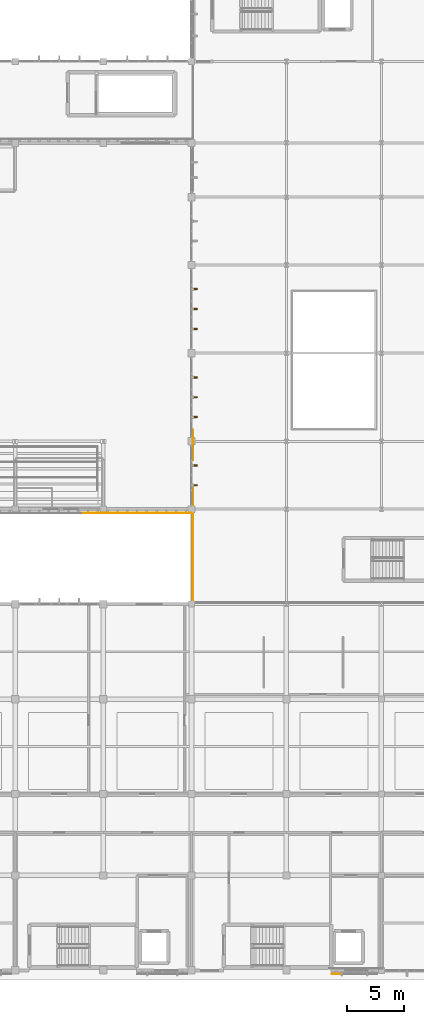
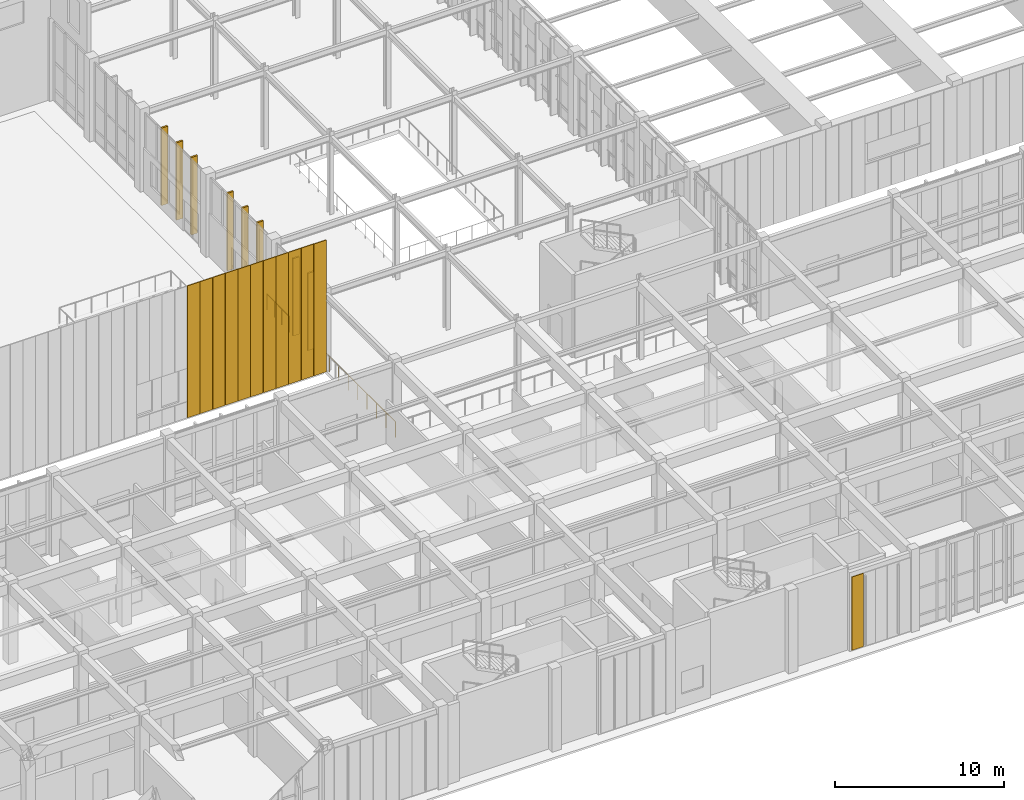
# One storey, part 94 of 105: 20 coverings, 2 railings.
"""IFC4 building model written with IfcOpenShell, lengths in metres."""

import ifcopenshell
import ifcopenshell.guid

model = None  # the IFC model being written
_history = None  # IfcOwnerHistory: only IFC2X3 demands one
_inside = {}  # id of a spatial element -> (the spatial element, [elements in it])
_under = {}  # id of a project, library or spatial element -> (it, [spatial elements below it])
_declared = {}  # id of a project -> (the project, [libraries it declares])
_typed = {}  # id of a type object -> (the type object, [elements of that type])
_made_of = {}  # id of a material, layer set ... -> (it, [elements and type objects made of it])


def new_model(schema):
    """Start an empty IFC model of exactly this schema.

    Asked for "IFC4X3", IfcOpenShell would pick the latest addendum, in which some entities
    have other attributes; the version numbers below select the first issue.
    IFC2X3 requires an IfcOwnerHistory on every rooted entity: one is made here for all.
    """
    global model, _history
    if schema == "IFC4X3":
        model = ifcopenshell.file(schema_version=(4, 3, 0, 0))
    else:
        model = ifcopenshell.file(schema=schema)
    _inside.clear()
    _under.clear()
    _declared.clear()
    _typed.clear()
    _made_of.clear()
    _history = None
    if model.schema == "IFC2X3":
        org = make("IfcOrganization", Name="unknown")
        user = make(
            "IfcPersonAndOrganization",
            ThePerson=make("IfcPerson", FamilyName="unknown"),
            TheOrganization=org,
        )
        app = make(
            "IfcApplication",
            ApplicationDeveloper=org,
            Version="unknown",
            ApplicationFullName="unknown",
            ApplicationIdentifier="unknown",
        )
        _history = make(
            "IfcOwnerHistory",
            OwningUser=user,
            OwningApplication=app,
            ChangeAction="ADDED",
            CreationDate=0,
        )
    return model


def make(cls, **values):
    """One entity of the class cls with the attributes given. An attribute that is None is left unset."""
    return model.create_entity(
        cls, **{name: value for name, value in values.items() if value is not None}
    )


def rooted(cls, **values):
    """An entity with a GlobalId (a new one), such as an element, a storey or a relation."""
    return make(cls, GlobalId=ifcopenshell.guid.new(), OwnerHistory=_history, **values)


def si_unit(unit_type, name, prefix=None):
    """IfcSIUnit, for example si_unit("LENGTHUNIT", "METRE", prefix="MILLI")."""
    return make("IfcSIUnit", UnitType=unit_type, Prefix=prefix, Name=name)


def assignment(units):
    """IfcUnitAssignment: the units of a project."""
    return None if units is None else make("IfcUnitAssignment", Units=units)


def point(xyz):
    """IfcCartesianPoint."""
    return None if xyz is None else make("IfcCartesianPoint", Coordinates=xyz)


def direction(xyz):
    """IfcDirection."""
    return None if xyz is None else make("IfcDirection", DirectionRatios=xyz)


def frame(location, z_axis=None, x_axis=None):
    """IfcAxis2Placement3D, a coordinate frame: its origin and axes. An axis left out is left unset."""
    return make(
        "IfcAxis2Placement3D",
        Location=point(location),
        Axis=direction(z_axis),
        RefDirection=direction(x_axis),
    )


def frame_2d(location, x_axis=None):
    """IfcAxis2Placement2D, a coordinate frame in the plane: its origin and x axis."""
    return make(
        "IfcAxis2Placement2D", Location=point(location), RefDirection=direction(x_axis)
    )


def origin():
    """The frame at (0, 0, 0) with its axes left unset."""
    return frame((0.0, 0.0, 0.0))


def origin_2d():
    """The frame at (0, 0) in the plane with its x axis left unset."""
    return frame_2d((0.0, 0.0))


def place(relative_to, where):
    """IfcLocalPlacement: puts the frame where relative to a parent placement (None: the world)."""
    return make(
        "IfcLocalPlacement", PlacementRelTo=relative_to, RelativePlacement=where
    )


def context(
    kind, dimensions, precision=None, world=None, true_north=None, identifier=None
):
    """IfcGeometricRepresentationContext, for example the 3D "Model" context."""
    return make(
        "IfcGeometricRepresentationContext",
        ContextIdentifier=identifier,
        ContextType=kind,
        CoordinateSpaceDimension=dimensions,
        Precision=precision,
        WorldCoordinateSystem=world,
        TrueNorth=true_north,
    )


def subcontext(parent, identifier, kind, view, scale=None):
    """IfcGeometricRepresentationSubContext, for example "Body" below "Model"."""
    return make(
        "IfcGeometricRepresentationSubContext",
        ContextIdentifier=identifier,
        ContextType=kind,
        ParentContext=parent,
        TargetScale=scale,
        TargetView=view,
    )


def project(units=None, contexts=None):
    """IfcProject with its units and contexts."""
    return rooted(
        "IfcProject",
        Name="project",
        RepresentationContexts=contexts,
        UnitsInContext=assignment(units),
    )


def spatial(cls, under=None, at=None, **own):
    """A site, building, storey or space (cls), placed at a placement, below another one or the project."""
    s = rooted(cls, ObjectPlacement=at, **own)
    if under is not None:
        _under.setdefault(under.id(), (under, []))[1].append(s)
    return s


def profile(cls, at=None, kind="AREA", **sizes):
    """A parametric profile (cls). Its sizes go by their IFC names, for example OverallWidth=200.0."""
    return make(cls, ProfileType=kind, Position=at, **sizes)


def rectangle(**sizes):
    """IfcRectangleProfileDef."""
    return profile("IfcRectangleProfileDef", **sizes)


def circle(**sizes):
    """IfcCircleProfileDef."""
    return profile("IfcCircleProfileDef", **sizes)


def extrude(swept, where, along, depth):
    """IfcExtrudedAreaSolid: the profile swept, set in the frame where, extruded along a direction by depth."""
    return make(
        "IfcExtrudedAreaSolid",
        SweptArea=swept,
        Position=where,
        ExtrudedDirection=direction(along),
        Depth=depth,
    )


def shape(context_of_items, identifier, shape_type, items):
    """IfcShapeRepresentation: the items that make up one representation, for example the "Body"."""
    return make(
        "IfcShapeRepresentation",
        ContextOfItems=context_of_items,
        RepresentationIdentifier=identifier,
        RepresentationType=shape_type,
        Items=items,
    )


def material(Name=None, Category=None):
    """IfcMaterial."""
    return make("IfcMaterial", Name=Name, Category=Category)


def layer(
    of_material, thickness, ventilated=None, Name=None, Category=None, Priority=None
):
    """IfcMaterialLayer: one layer of a wall or slab, of a material (None: an air gap)."""
    return make(
        "IfcMaterialLayer",
        Material=of_material,
        LayerThickness=thickness,
        IsVentilated=ventilated,
        Name=Name,
        Category=Category,
        Priority=Priority,
    )


def layer_set(layers, Name=None):
    """IfcMaterialLayerSet."""
    return make("IfcMaterialLayerSet", MaterialLayers=layers, LayerSetName=Name)


def made_of(thing, what):
    """Note that an element or type object is made of a material, layer set ...; save() writes the relation."""
    if what is not None:
        _made_of.setdefault(what.id(), (what, []))[1].append(thing)
    return thing


def type_object(cls, material=None, **own):
    """A type object (cls), such as IfcWallType, which elements share."""
    return made_of(rooted(cls, **own), material)


def element(
    cls,
    number,
    at=None,
    inside=None,
    cuts=None,
    type_object=None,
    material=None,
    context=None,
    identifier="Body",
    shape_type=None,
    held_by="IfcProductDefinitionShape",
    body=None,
    shapes=None,
    **own,
):
    """One element of the class cls, such as IfcWall. Its Tag is "e" and its number.

    at: its placement. inside: the storey or other place that contains it. cuts: it is an
    opening in that element (IfcRelVoidsElement). A single representation is given by context,
    identifier, shape_type and body (its items); several are given by shapes. held_by: the class
    of the entity that holds the representations. save() writes the other relations.
    """
    e = rooted(cls, Tag="e%d" % number, ObjectPlacement=at, **own)
    if body is not None:
        shapes = [shape(context, identifier, shape_type, body)]
    if shapes is not None:
        e.Representation = make(held_by, Representations=shapes)
    if inside is not None:
        _inside.setdefault(inside.id(), (inside, []))[1].append(e)
    if cuts is not None:
        rooted(
            "IfcRelVoidsElement", RelatingBuildingElement=cuts, RelatedOpeningElement=e
        )
    if type_object is not None:
        _typed.setdefault(type_object.id(), (type_object, []))[1].append(e)
    return made_of(e, material)


def aggregate(whole, parts):
    """IfcRelAggregates: a whole, such as a stair, and the parts it consists of."""
    return rooted("IfcRelAggregates", RelatingObject=whole, RelatedObjects=parts)


def save(model, path):
    """Write the relations noted so far, then the file.

    IfcRelAggregates (storeys below a building ...), IfcRelContainedInSpatialStructure (elements
    in a storey), IfcRelDefinesByType, IfcRelAssociatesMaterial and IfcRelDeclares: one each for
    every whole, place, type object, material and project.
    """
    for whole, parts in _under.values():
        aggregate(whole, parts)
    for where, things in _inside.values():
        rooted(
            "IfcRelContainedInSpatialStructure",
            RelatedElements=things,
            RelatingStructure=where,
        )
    for kind, things in _typed.values():
        rooted("IfcRelDefinesByType", RelatedObjects=things, RelatingType=kind)
    for what, things in _made_of.values():
        rooted("IfcRelAssociatesMaterial", RelatedObjects=things, RelatingMaterial=what)
    for by, libraries in _declared.values():
        rooted("IfcRelDeclares", RelatingContext=by, RelatedDefinitions=libraries)
    model.write(path)


model = new_model("IFC4")

# Units and contexts
model_context = context("Model", 3, precision=1e-05, world=origin(), true_north=direction((0.0, 1.0)))
body_context = subcontext(model_context, "Body", "Model", "MODEL_VIEW")
ifc_project = project(units=[si_unit("LENGTHUNIT", "METRE"), si_unit("AREAUNIT", "SQUARE_METRE"), si_unit("VOLUMEUNIT", "CUBIC_METRE"), si_unit("PLANEANGLEUNIT", "RADIAN"), si_unit("MASSUNIT", "GRAM", prefix="KILO")], contexts=[model_context])

# Site, building, storey
site_placement = place(None, origin())
site = spatial("IfcSite", under=ifc_project, at=site_placement, CompositionType="ELEMENT")
building_placement = place(site_placement, origin())
building = spatial("IfcBuilding", under=site, at=building_placement, Name="Tizgana Railside Sports Hall", CompositionType="ELEMENT")
storey_placement = place(building_placement, frame((0.0, 0.0, 6.0)))
storey = spatial("IfcBuildingStorey", under=building, at=storey_placement, Name="L01", CompositionType="ELEMENT", Elevation=6.0)

# Coverings
ifc_material_1 = material(Name="Glulam GL28h", Category="wood")
ifc_layer_1 = layer(ifc_material_1, 0.139892578125, Name="Glulam GL28h")
ifc_layer_set_1 = layer_set([ifc_layer_1], Name="Glulam GL28h")
covering_type_1 = type_object("IfcCoveringType", Name="Mass-Timber Brise-Soleil & Pergola Fin", PredefinedType="CLADDING", material=ifc_layer_set_1)
for number, where, z_axis, x_axis, name in (
    (1, (54.8798828125, 44.6650390625, 0.0400390625), (0.0, 0.0, 1.0), (0.0, -1.0, 0.0), "L01 Timber Brise-Soleil Fin"),
    (2, (54.8798828125, 42.909912109375, 0.0400390625), (0.0, 0.0, 1.0), (0.0, -1.0, 0.0), "L01 Timber Brise-Soleil Fin"),
    (3, (54.8798828125, 52.4599609375, 0.0400390625), (0.0, 0.0, 1.0), (0.0, -1.0, 0.0), "L01 Timber Brise-Soleil Fin"),
    (4, (54.8798828125, 50.699951171875, 0.0400390625), (0.0, 0.0, 1.0), (0.0, -1.0, 0.0), "L01 Timber Brise-Soleil Fin"),
    (5, (54.8798828125, 48.93994140625, 0.0400390625), (0.0, 0.0, 1.0), (0.0, -1.0, 0.0), "L01 Timber Brise-Soleil Fin"),
    (6, (54.8798828125, 60.260009765625, 0.0400390625), (0.0, 0.0, 1.0), (0.0, -1.0, 0.0), "L01 Timber Brise-Soleil Fin"),
    (7, (54.8798828125, 58.5, 0.0400390625), (0.0, 0.0, 1.0), (0.0, -1.0, 0.0), "L01 Timber Brise-Soleil Fin"),
    (8, (54.8798828125, 56.739990234375, 0.0400390625), (0.0, 0.0, 1.0), (0.0, -1.0, 0.0), "L01 Timber Brise-Soleil Fin"),
):
    element("IfcCovering", number, at=place(storey_placement, frame(where, z_axis=z_axis, x_axis=x_axis)), inside=storey, type_object=covering_type_1, Name=name, PredefinedType="CLADDING", context=body_context, shape_type="SweptSolid", body=[
        extrude(rectangle(XDim=0.1201171875, YDim=0.43994140625, at=origin_2d()), origin(), (0.0, 0.0, 1.0), 5.610107421875),
    ])
ifc_material_2 = material(Name="Anodised perforated aluminium screen", Category="aluminium")
ifc_layer_2 = layer(ifc_material_2, 0.044921875, Name="Anodised perforated aluminium screen")
ifc_layer_set_2 = layer_set([ifc_layer_2], Name="Anodised perforated aluminium screen")
covering_type_2 = type_object("IfcCoveringType", Name="Perforated Aluminium Hall Screen 900", PredefinedType="CLADDING", material=ifc_layer_set_2)
for number, where, z_axis, x_axis, name in (
    (9, (46.31689453125, 40.465087890625, 0.02001953125), (0.0, 0.0, 1.0), (-1.0, 0.0, 0.0), "L01 Perforated Screen SCR-0110"),
    (10, (45.45068359375, 40.465087890625, 0.02001953125), (0.0, 0.0, 1.0), (-1.0, 0.0, 0.0), "L01 Perforated Screen SCR-0111"),
    (11, (54.116943359375, 40.465087890625, 0.02001953125), (0.0, 0.0, 1.0), (-1.0, 0.0, 0.0), "L01 Perforated Screen SCR-0132"),
    (12, (53.250732421875, 40.465087890625, 0.02001953125), (0.0, 0.0, 1.0), (-1.0, 0.0, 0.0), "L01 Perforated Screen SCR-0133"),
    (13, (52.384765625, 40.465087890625, 0.02001953125), (0.0, 0.0, 1.0), (-1.0, 0.0, 0.0), "L01 Perforated Screen SCR-0134"),
    (14, (51.5185546875, 40.465087890625, 0.02001953125), (0.0, 0.0, 1.0), (-1.0, 0.0, 0.0), "L01 Perforated Screen SCR-0135"),
    (15, (50.652587890625, 40.465087890625, 0.02001953125), (0.0, 0.0, 1.0), (-1.0, 0.0, 0.0), "L01 Perforated Screen SCR-0136"),
    (16, (49.786376953125, 40.465087890625, 0.02001953125), (0.0, 0.0, 1.0), (-1.0, 0.0, 0.0), "L01 Perforated Screen SCR-0137"),
    (17, (48.92041015625, 40.465087890625, 0.02001953125), (0.0, 0.0, 1.0), (-1.0, 0.0, 0.0), "L01 Perforated Screen SCR-0138"),
    (18, (48.05419921875, 40.465087890625, 0.02001953125), (0.0, 0.0, 1.0), (-1.0, 0.0, 0.0), "L01 Perforated Screen SCR-0139"),
    (19, (47.18798828125, 40.465087890625, 0.02001953125), (0.0, 0.0, 1.0), (-1.0, 0.0, 0.0), "L01 Perforated Screen SCR-0140"),
):
    element("IfcCovering", number, at=place(storey_placement, frame(where, z_axis=z_axis, x_axis=x_axis)), inside=storey, type_object=covering_type_2, Name=name, PredefinedType="CLADDING", context=body_context, shape_type="SweptSolid", body=[
        extrude(rectangle(XDim=0.84814453125, YDim=0.044921875, at=origin_2d()), origin(), (0.0, 0.0, 1.0), 9.56005859375),
    ])
covering_placement = place(storey_placement, frame((67.405029296875, -0.31494140625, 0.2001953125), z_axis=(0.0, 0.0, 1.0), x_axis=(-1.0, 0.0, 0.0)))
element("IfcCovering", 20, at=covering_placement, inside=storey, type_object=covering_type_2, Name="L01 Perforated Screen SCR-0547", PredefinedType="CLADDING", context=body_context, shape_type="SweptSolid", body=[
    extrude(rectangle(XDim=0.7919921875, YDim=0.044921875, at=origin_2d()), origin(), (0.0, 0.0, 1.0), 5.320068359375),
])

# Railings
ifc_material_3 = material(Name="Anodised aluminium", Category="aluminium")
railing_type = type_object("IfcRailingType", Name="Terrace & Track Guard 1150", PredefinedType="BALUSTRADE", material=ifc_material_3)
railing_1_placement = place(storey_placement, frame((54.719970703125, 32.550048828125, 0.0)))
element("IfcRailing", 21, at=railing_1_placement, inside=storey, type_object=railing_type, Name="L01 Safety Guard GRD-0034", PredefinedType="BALUSTRADE", context=body_context, shape_type="SweptSolid", body=[
    extrude(circle(Radius=0.02392578125, at=origin_2d()), frame((0.0, 0.0, 1.1259765625), z_axis=(0.0, 1.0, 0.0), x_axis=(-1.0, 0.0, 0.0)), (0.0, 0.0, 1.0), 10.099853515625),
    extrude(circle(Radius=0.02099609375, at=origin_2d()), origin(), (0.0, 0.0, 1.0), 1.101806640625),
    extrude(circle(Radius=0.02099609375, at=origin_2d()), frame((0.0, 1.122314453125, 0.0)), (0.0, 0.0, 1.0), 1.101806640625),
    extrude(circle(Radius=0.02099609375, at=origin_2d()), frame((0.0, 2.244384765625, 0.0)), (0.0, 0.0, 1.0), 1.101806640625),
    extrude(circle(Radius=0.02099609375, at=origin_2d()), frame((0.0, 3.36669921875, 0.0)), (0.0, 0.0, 1.0), 1.101806640625),
    extrude(circle(Radius=0.02099609375, at=origin_2d()), frame((0.0, 4.48876953125, 0.0)), (0.0, 0.0, 1.0), 1.101806640625),
    extrude(circle(Radius=0.02099609375, at=origin_2d()), frame((0.0, 5.611083984375, 0.0)), (0.0, 0.0, 1.0), 1.101806640625),
    extrude(circle(Radius=0.02099609375, at=origin_2d()), frame((0.0, 6.733154296875, 0.0)), (0.0, 0.0, 1.0), 1.101806640625),
    extrude(circle(Radius=0.02099609375, at=origin_2d()), frame((0.0, 7.85546875, 0.0)), (0.0, 0.0, 1.0), 1.101806640625),
    extrude(circle(Radius=0.02099609375, at=origin_2d()), frame((0.0, 8.9775390625, 0.0)), (0.0, 0.0, 1.0), 1.101806640625),
    extrude(circle(Radius=0.02099609375, at=origin_2d()), frame((0.0, 10.099853515625, 0.0)), (0.0, 0.0, 1.0), 1.101806640625),
])
railing_2_placement = place(storey_placement, frame((54.719970703125, 45.14990234375, 0.0)))
element("IfcRailing", 22, at=railing_2_placement, inside=storey, type_object=railing_type, Name="L01 Safety Guard GRD-0035", PredefinedType="BALUSTRADE", context=body_context, shape_type="SweptSolid", body=[
    extrude(circle(Radius=0.02392578125, at=origin_2d()), frame((0.0, 0.0, 1.1259765625), z_axis=(0.0, 1.0, 0.0), x_axis=(-1.0, 0.0, 0.0)), (0.0, 0.0, 1.0), 2.650146484375),
    extrude(circle(Radius=0.02099609375, at=origin_2d()), origin(), (0.0, 0.0, 1.0), 1.101806640625),
    extrude(circle(Radius=0.02099609375, at=origin_2d()), frame((0.0, 0.88330078125, 0.0)), (0.0, 0.0, 1.0), 1.101806640625),
    extrude(circle(Radius=0.02099609375, at=origin_2d()), frame((0.0, 1.766845703125, 0.0)), (0.0, 0.0, 1.0), 1.101806640625),
    extrude(circle(Radius=0.02099609375, at=origin_2d()), frame((0.0, 2.650146484375, 0.0)), (0.0, 0.0, 1.0), 1.101806640625),
])

save(model, "model.ifc")
